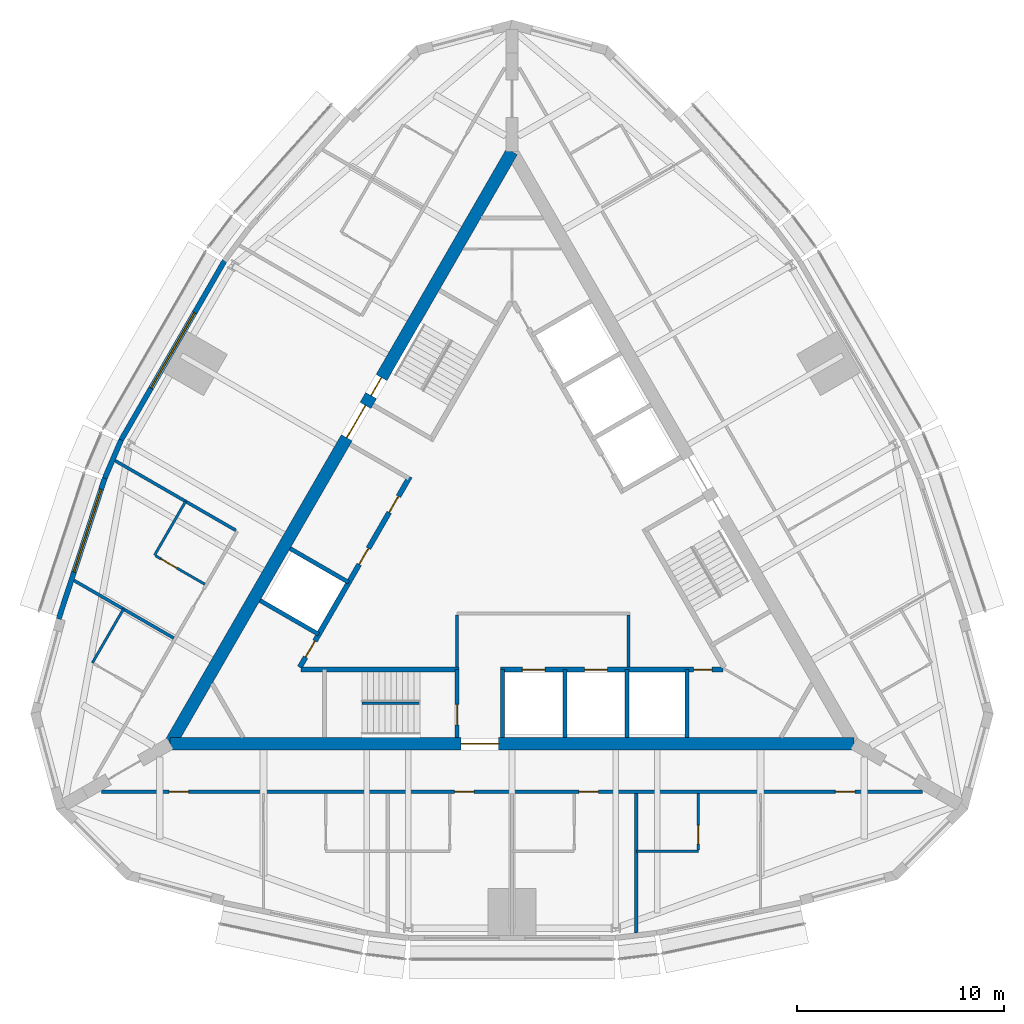
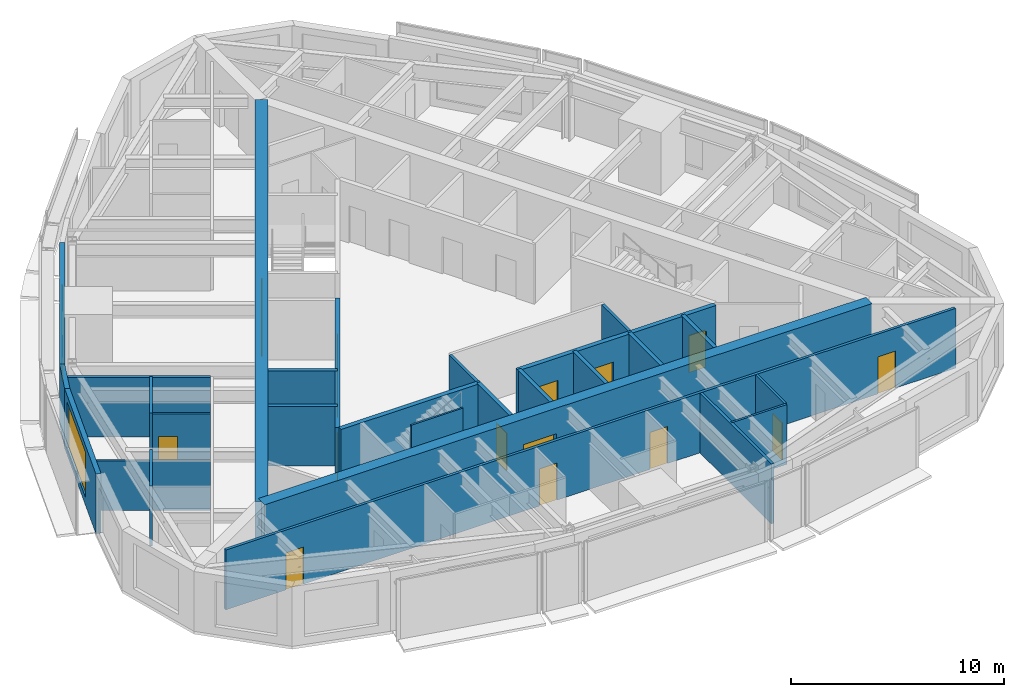
# One storey, part 8 of 12: 27 walls, 16 doors, 2 windows, 18 openings.
"""IFC4 building model written with IfcOpenShell, lengths in metres."""

from ifc_helpers import new_model, si_unit, direction, frame, frame_2d, origin, place, context, subcontext, project, spatial, rectangle, extrude, material, layer, layer_set, type_object, element, fill, save


model = new_model("IFC4")

# Units and contexts
model_context = context("Model", 3, precision=1e-05, world=origin(), true_north=direction((0.0, 1.0)))
body_context = subcontext(model_context, "Body", "Model", "MODEL_VIEW")
ifc_project = project(units=[si_unit("LENGTHUNIT", "METRE"), si_unit("AREAUNIT", "SQUARE_METRE"), si_unit("VOLUMEUNIT", "CUBIC_METRE"), si_unit("PLANEANGLEUNIT", "RADIAN"), si_unit("MASSUNIT", "GRAM", prefix="KILO")], contexts=[model_context])

# Site, building, storey
site_placement = place(None, origin())
site = spatial("IfcSite", under=ifc_project, at=site_placement, CompositionType="ELEMENT")
building_placement = place(site_placement, origin())
building = spatial("IfcBuilding", under=site, at=building_placement, Name="Trikona Tower", CompositionType="ELEMENT")
storey_placement = place(building_placement, frame((0.0, 0.0, 264.5)))
storey = spatial("IfcBuildingStorey", under=building, at=storey_placement, Name="L70", CompositionType="ELEMENT", Elevation=264.5)

# Wall
ifc_material_1 = material(Name="Metal stud and cement board", Category="gypsum")
ifc_layer_1 = layer(ifc_material_1, 0.1201171875)
ifc_layer_set_1 = layer_set([ifc_layer_1], Name="Bathroom wall 120")
wall_type_1 = type_object("IfcWallType", Name="Bathroom wall 120", PredefinedType="PLUMBINGWALL", material=ifc_layer_set_1)
wall_1_placement = place(storey_placement, frame((6.0, -14.726318359375, 0.0), z_axis=(0.0, 0.0, 1.0), x_axis=(1.0, 0.0, 0.0)))
element("IfcWall", 1, at=wall_1_placement, inside=storey, type_object=wall_type_1, Name="Bathroom wall 7004.1", PredefinedType="PLUMBINGWALL", context=body_context, shape_type="SweptSolid", body=[
    extrude(rectangle(XDim=3.0, YDim=0.1201171875, at=frame_2d((1.5, 0.0))), origin(), (0.0, 0.0, 1.0), 3.43505859375),
])

# Wall, opening, door
wall_2_placement = place(storey_placement, frame((9.0, -11.92626953125, 0.0), z_axis=(0.0, 0.0, 1.0), x_axis=(0.0, -1.0, 0.0)))
wall_2 = element("IfcWall", 2, at=wall_2_placement, inside=storey, type_object=wall_type_1, Name="Bathroom wall 7004.1", PredefinedType="PLUMBINGWALL", context=body_context, shape_type="SweptSolid", body=[
    extrude(rectangle(XDim=2.739990234375, YDim=0.1201171875, at=frame_2d((1.3701171875, 0.0))), origin(), (0.0, 0.0, 1.0), 3.43505859375),
])
opening_1_placement = place(wall_2_placement, frame((1.550048828125, 0.0, 0.0)))
opening_1 = element("IfcOpeningElement", 3, at=opening_1_placement, cuts=wall_2, Name="Opening D2", PredefinedType="OPENING", context=body_context, shape_type="SweptSolid", body=[
    extrude(rectangle(XDim=0.89990234375, YDim=2.1298828125, at=frame_2d((0.449951171875, 1.06494140625))), frame((0.0, 0.070068359375, 0.0), z_axis=(0.0, -1.0, 0.0), x_axis=(1.0, 0.0, 0.0)), (0.0, 0.0, 1.0), 0.14013671875),
])
ifc_material_2 = material(Name="Steel door frame with solid-core timber leaf", Category="steel")
door_type_1 = type_object("IfcDoorType", Name="Bathroom door 900x2130", OperationType="SLIDING_TO_LEFT", PredefinedType="DOOR", material=ifc_material_2)
door_1_placement = place(opening_1_placement, origin())
door_1 = element("IfcDoor", 4, at=door_1_placement, inside=storey, type_object=door_type_1, Name="Bathroom door 7004.1", OperationType="SLIDING_TO_LEFT", OverallHeight=2.1298828125, OverallWidth=0.89990234375, PredefinedType="DOOR", context=body_context, shape_type="SweptSolid", body=[
    extrude(rectangle(XDim=0.89990234375, YDim=2.1298828125, at=frame_2d((0.449951171875, 1.06494140625))), frame((0.0, 0.02490234375, 0.0), z_axis=(0.0, -1.0, 0.0), x_axis=(1.0, 0.0, 0.0)), (0.0, 0.0, 1.0), 0.050048828125),
])
fill(opening_1, door_1)

# Wall
wall_3_placement = place(storey_placement, frame((-15.75341796875, 2.1669921875, 0.0), z_axis=(0.0, 0.0, 1.0), x_axis=(-0.499990139034, -0.866031096941, 0.0)))
element("IfcWall", 5, at=wall_3_placement, inside=storey, type_object=wall_type_1, Name="Bathroom wall 7008", PredefinedType="PLUMBINGWALL", context=body_context, shape_type="SweptSolid", body=[
    extrude(rectangle(XDim=3.0, YDim=0.1201171875, at=frame_2d((1.5, 0.0))), origin(), (0.0, 0.0, 1.0), 3.43505859375),
])

# Wall, opening, door
wall_4_placement = place(storey_placement, frame((-14.82861328125, -1.8310546875, 0.0), z_axis=(0.0, 0.0, 1.0), x_axis=(-0.866035715982, 0.499982138324, 0.0)))
wall_4 = element("IfcWall", 6, at=wall_4_placement, inside=storey, type_object=wall_type_1, Name="Bathroom wall 7008", PredefinedType="PLUMBINGWALL", context=body_context, shape_type="SweptSolid", body=[
    extrude(rectangle(XDim=2.73974609375, YDim=0.1201171875, at=frame_2d((1.369873046875, 0.0))), origin(), (0.0, 0.0, 1.0), 3.43505859375),
])
opening_2_placement = place(wall_4_placement, frame((1.550048828125, 0.0, 0.0)))
opening_2 = element("IfcOpeningElement", 7, at=opening_2_placement, cuts=wall_4, Name="Opening D2", PredefinedType="OPENING", context=body_context, shape_type="SweptSolid", body=[
    extrude(rectangle(XDim=0.89990234375, YDim=2.1298828125, at=frame_2d((0.449951171875, 1.06494140625))), frame((0.0, 0.070068359375, 0.0), z_axis=(0.0, -1.0, 0.0), x_axis=(1.0, 0.0, 0.0)), (0.0, 0.0, 1.0), 0.14013671875),
])
door_2_placement = place(opening_2_placement, origin())
door_2 = element("IfcDoor", 8, at=door_2_placement, inside=storey, type_object=door_type_1, Name="Bathroom door 7008", OperationType="SLIDING_TO_LEFT", OverallHeight=2.1298828125, OverallWidth=0.89990234375, PredefinedType="DOOR", context=body_context, shape_type="SweptSolid", body=[
    extrude(rectangle(XDim=0.89990234375, YDim=2.1298828125, at=frame_2d((0.449951171875, 1.06494140625))), frame((0.0, 0.02490234375, 0.0), z_axis=(0.0, -1.0, 0.0), x_axis=(1.0, 0.0, 0.0)), (0.0, 0.0, 1.0), 0.050048828125),
])
fill(opening_2, door_2)

# Wall
wall_5_placement = place(storey_placement, frame((-18.75341796875, -3.029296875, 0.0), z_axis=(0.0, 0.0, 1.0), x_axis=(-0.50002537861, -0.866010750942, 0.0)))
element("IfcWall", 9, at=wall_5_placement, inside=storey, type_object=wall_type_1, Name="Bathroom wall 7009", PredefinedType="PLUMBINGWALL", context=body_context, shape_type="SweptSolid", body=[
    extrude(rectangle(XDim=2.999755859375, YDim=0.1201171875, at=frame_2d((1.5, 0.0))), origin(), (0.0, 0.0, 1.0), 3.43505859375),
])

# Wall, opening, door
ifc_material_3 = material(Name="Concrete f'c 10000 psi", Category="concrete")
ifc_layer_2 = layer(ifc_material_3, 0.60009765625)
ifc_layer_set_2 = layer_set([ifc_layer_2], Name="Core wall 600")
wall_type_2 = type_object("IfcWallType", Name="Core wall 600", PredefinedType="SHEAR", material=ifc_layer_set_2)
wall_6_placement = place(storey_placement, frame((-16.5, -9.5263671875, 0.0), z_axis=(0.0, 0.0, 1.0), x_axis=(1.0, 0.0, 0.0)))
wall_6 = element("IfcWall", 10, at=wall_6_placement, inside=storey, type_object=wall_type_2, Name="Core wall A", PredefinedType="SHEAR", context=body_context, shape_type="SweptSolid", body=[
    extrude(rectangle(XDim=33.0, YDim=0.60009765625, at=frame_2d((16.5, 0.0))), origin(), (0.0, 0.0, 1.0), 3.60009765625),
])
opening_3_placement = place(wall_6_placement, frame((14.050048828125, 0.0, 0.0)))
opening_3 = element("IfcOpeningElement", 11, at=opening_3_placement, cuts=wall_6, Name="Opening D6", PredefinedType="OPENING", context=body_context, shape_type="SweptSolid", body=[
    extrude(rectangle(XDim=1.800048828125, YDim=2.1298828125, at=frame_2d((0.89990234375, 1.06494140625))), frame((0.0, 0.31005859375, 0.0), z_axis=(0.0, -1.0, 0.0), x_axis=(1.0, 0.0, 0.0)), (0.0, 0.0, 1.0), 0.6201171875),
])
ifc_material_4 = material(Name="Hollow metal door and frame", Category="steel")
door_type_2 = type_object("IfcDoorType", Name="Lobby door pair 1800x2130", OperationType="DOUBLE_DOOR_SINGLE_SWING", PredefinedType="DOOR", material=ifc_material_4)
door_3_placement = place(opening_3_placement, origin())
door_3 = element("IfcDoor", 12, at=door_3_placement, inside=storey, type_object=door_type_2, Name="Fire service lift lobby door", OperationType="DOUBLE_DOOR_SINGLE_SWING", OverallHeight=2.1298828125, OverallWidth=1.800048828125, PredefinedType="DOOR", context=body_context, shape_type="SweptSolid", body=[
    extrude(rectangle(XDim=1.800048828125, YDim=2.1298828125, at=frame_2d((0.89990234375, 1.06494140625))), frame((0.0, 0.02490234375, 0.0), z_axis=(0.0, -1.0, 0.0), x_axis=(1.0, 0.0, 0.0)), (0.0, 0.0, 1.0), 0.050048828125),
])
fill(opening_3, door_3)

# Wall, openings, doors
wall_7_placement = place(storey_placement, frame((0.0, 19.052490234375, 0.0), z_axis=(0.0, 0.0, 1.0), x_axis=(-0.499999749417, -0.866025548458, 0.0)))
wall_7 = element("IfcWall", 13, at=wall_7_placement, inside=storey, type_object=wall_type_2, Name="Core wall C", PredefinedType="SHEAR", context=body_context, shape_type="SweptSolid", body=[
    extrude(rectangle(XDim=33.0, YDim=0.60009765625, at=frame_2d((16.5, 0.0))), origin(), (0.0, 0.0, 1.0), 3.60009765625),
])
opening_4_placement = place(wall_7_placement, frame((14.14990234375, 0.0, 0.0)))
opening_4 = element("IfcOpeningElement", 14, at=opening_4_placement, cuts=wall_7, Name="Opening D6", PredefinedType="OPENING", context=body_context, shape_type="SweptSolid", body=[
    extrude(rectangle(XDim=1.800048828125, YDim=2.1298828125, at=frame_2d((0.89990234375, 1.06494140625))), frame((0.0, 0.31005859375, 0.0), z_axis=(0.0, -1.0, 0.0), x_axis=(1.0, 0.0, 0.0)), (0.0, 0.0, 1.0), 0.6201171875),
])
opening_5_placement = place(wall_7_placement, frame((12.60009765625, 0.0, 0.0)))
opening_5 = element("IfcOpeningElement", 15, at=opening_5_placement, cuts=wall_7, Name="Opening D5", PredefinedType="OPENING", context=body_context, shape_type="SweptSolid", body=[
    extrude(rectangle(XDim=1.0, YDim=2.1298828125, at=frame_2d((0.5, 1.06494140625))), frame((0.0, 0.31005859375, 0.0), z_axis=(0.0, -1.0, 0.0), x_axis=(1.0, 0.0, 0.0)), (0.0, 0.0, 1.0), 0.6201171875),
])
door_4_placement = place(opening_4_placement, origin())
door_4 = element("IfcDoor", 16, at=door_4_placement, inside=storey, type_object=door_type_2, Name="Lift lobby door C", OperationType="DOUBLE_DOOR_SINGLE_SWING", OverallHeight=2.1298828125, OverallWidth=1.800048828125, PredefinedType="DOOR", context=body_context, shape_type="SweptSolid", body=[
    extrude(rectangle(XDim=1.800048828125, YDim=2.1298828125, at=frame_2d((0.89990234375, 1.06494140625))), frame((0.0, 0.02490234375, 0.0), z_axis=(0.0, -1.0, 0.0), x_axis=(1.0, 0.0, 0.0)), (0.0, 0.0, 1.0), 0.050048828125),
])
fill(opening_4, door_4)
ifc_material_5 = material(Name="Hollow metal door and frame", Category="steel")
door_type_3 = type_object("IfcDoorType", Name="Stair door 1000x2130", OperationType="SINGLE_SWING_LEFT", PredefinedType="DOOR", material=ifc_material_5)
door_5_placement = place(opening_5_placement, origin())
door_5 = element("IfcDoor", 17, at=door_5_placement, inside=storey, type_object=door_type_3, Name="Stair C door", OperationType="SINGLE_SWING_RIGHT", OverallHeight=2.1298828125, OverallWidth=1.0, PredefinedType="DOOR", context=body_context, shape_type="SweptSolid", body=[
    extrude(rectangle(XDim=1.0, YDim=2.1298828125, at=frame_2d((0.5, 1.06494140625))), frame((0.0, 0.02490234375, 0.0), z_axis=(0.0, -1.0, 0.0), x_axis=(1.0, 0.0, 0.0)), (0.0, 0.0, 1.0), 0.050048828125),
])
fill(opening_5, door_5)

ifc_material_6 = material(Name="Metal stud and gypsum board, 1-hour", Category="gypsum")
ifc_layer_3 = layer(ifc_material_6, 0.14990234375)
ifc_layer_set_3 = layer_set([ifc_layer_3], Name="Corridor wall 150")
wall_type_3 = type_object("IfcWallType", Name="Corridor wall 150", PredefinedType="PARTITIONING", material=ifc_layer_set_3)
wall_8_placement = place(storey_placement, frame((-19.826904296875, -11.851318359375, 0.0), z_axis=(0.0, 0.0, 1.0), x_axis=(1.0, 0.0, 0.0)))
wall_8 = element("IfcWall", 18, at=wall_8_placement, inside=storey, type_object=wall_type_3, Name="Corridor wall L70-1", PredefinedType="PARTITIONING", context=body_context, shape_type="SweptSolid", body=[
    extrude(rectangle(XDim=39.65380859375, YDim=0.14990234375, at=frame_2d((19.826904296875, 0.0))), origin(), (0.0, 0.0, 1.0), 3.43505859375),
])
opening_6_placement = place(wall_8_placement, frame((3.271728515625, 0.0, 0.0)))
opening_6 = element("IfcOpeningElement", 19, at=opening_6_placement, cuts=wall_8, Name="Opening D1", PredefinedType="OPENING", context=body_context, shape_type="SweptSolid", body=[
    extrude(rectangle(XDim=0.949951171875, YDim=2.1298828125, at=frame_2d((0.47509765625, 1.06494140625))), frame((0.0, 0.0849609375, 0.0), z_axis=(0.0, -1.0, 0.0), x_axis=(1.0, 0.0, 0.0)), (0.0, 0.0, 1.0), 0.169921875),
])
opening_7_placement = place(wall_8_placement, frame((17.052001953125, 0.0, 0.0)))
opening_7 = element("IfcOpeningElement", 20, at=opening_7_placement, cuts=wall_8, Name="Opening D1", PredefinedType="OPENING", context=body_context, shape_type="SweptSolid", body=[
    extrude(rectangle(XDim=0.949951171875, YDim=2.1298828125, at=frame_2d((0.47509765625, 1.06494140625))), frame((0.0, 0.0849609375, 0.0), z_axis=(0.0, -1.0, 0.0), x_axis=(1.0, 0.0, 0.0)), (0.0, 0.0, 1.0), 0.169921875),
])
opening_8_placement = place(wall_8_placement, frame((23.052001953125, 0.0, 0.0)))
opening_8 = element("IfcOpeningElement", 21, at=opening_8_placement, cuts=wall_8, Name="Opening D1", PredefinedType="OPENING", context=body_context, shape_type="SweptSolid", body=[
    extrude(rectangle(XDim=0.949951171875, YDim=2.1298828125, at=frame_2d((0.47509765625, 1.06494140625))), frame((0.0, 0.0849609375, 0.0), z_axis=(0.0, -1.0, 0.0), x_axis=(1.0, 0.0, 0.0)), (0.0, 0.0, 1.0), 0.169921875),
])
opening_9_placement = place(wall_8_placement, frame((35.432373046875, 0.0, 0.0)))
opening_9 = element("IfcOpeningElement", 22, at=opening_9_placement, cuts=wall_8, Name="Opening D1", PredefinedType="OPENING", context=body_context, shape_type="SweptSolid", body=[
    extrude(rectangle(XDim=0.949951171875, YDim=2.1298828125, at=frame_2d((0.47509765625, 1.06494140625))), frame((0.0, 0.0849609375, 0.0), z_axis=(0.0, -1.0, 0.0), x_axis=(1.0, 0.0, 0.0)), (0.0, 0.0, 1.0), 0.169921875),
])
ifc_material_7 = material(Name="Steel door frame with solid-core timber leaf", Category="steel")
door_type_4 = type_object("IfcDoorType", Name="Guest room door 950x2130", OperationType="SINGLE_SWING_LEFT", PredefinedType="DOOR", material=ifc_material_7)
door_6_placement = place(opening_6_placement, origin())
door_6 = element("IfcDoor", 23, at=door_6_placement, inside=storey, type_object=door_type_4, Name="Room door 7001", OperationType="SINGLE_SWING_LEFT", OverallHeight=2.1298828125, OverallWidth=0.949951171875, PredefinedType="DOOR", context=body_context, shape_type="SweptSolid", body=[
    extrude(rectangle(XDim=0.949951171875, YDim=2.1298828125, at=frame_2d((0.47509765625, 1.06494140625))), frame((0.0, 0.02490234375, 0.0), z_axis=(0.0, -1.0, 0.0), x_axis=(1.0, 0.0, 0.0)), (0.0, 0.0, 1.0), 0.050048828125),
])
fill(opening_6, door_6)
door_7_placement = place(opening_7_placement, origin())
door_7 = element("IfcDoor", 24, at=door_7_placement, inside=storey, type_object=door_type_4, Name="Room door 7002", OperationType="SINGLE_SWING_RIGHT", OverallHeight=2.1298828125, OverallWidth=0.949951171875, PredefinedType="DOOR", context=body_context, shape_type="SweptSolid", body=[
    extrude(rectangle(XDim=0.949951171875, YDim=2.1298828125, at=frame_2d((0.47509765625, 1.06494140625))), frame((0.0, 0.02490234375, 0.0), z_axis=(0.0, -1.0, 0.0), x_axis=(1.0, 0.0, 0.0)), (0.0, 0.0, 1.0), 0.050048828125),
])
fill(opening_7, door_7)
door_8_placement = place(opening_8_placement, origin())
door_8 = element("IfcDoor", 25, at=door_8_placement, inside=storey, type_object=door_type_4, Name="Room door 7003", OperationType="SINGLE_SWING_LEFT", OverallHeight=2.1298828125, OverallWidth=0.949951171875, PredefinedType="DOOR", context=body_context, shape_type="SweptSolid", body=[
    extrude(rectangle(XDim=0.949951171875, YDim=2.1298828125, at=frame_2d((0.47509765625, 1.06494140625))), frame((0.0, 0.02490234375, 0.0), z_axis=(0.0, -1.0, 0.0), x_axis=(1.0, 0.0, 0.0)), (0.0, 0.0, 1.0), 0.050048828125),
])
fill(opening_8, door_8)
door_9_placement = place(opening_9_placement, origin())
door_9 = element("IfcDoor", 26, at=door_9_placement, inside=storey, type_object=door_type_4, Name="Room door 7004", OperationType="SINGLE_SWING_RIGHT", OverallHeight=2.1298828125, OverallWidth=0.949951171875, PredefinedType="DOOR", context=body_context, shape_type="SweptSolid", body=[
    extrude(rectangle(XDim=0.949951171875, YDim=2.1298828125, at=frame_2d((0.47509765625, 1.06494140625))), frame((0.0, 0.02490234375, 0.0), z_axis=(0.0, -1.0, 0.0), x_axis=(1.0, 0.0, 0.0)), (0.0, 0.0, 1.0), 0.050048828125),
])
fill(opening_9, door_9)

# Wall
ifc_material_8 = material(Name="Concrete f'c 8000 psi", Category="concrete")
ifc_layer_4 = layer(ifc_material_8, 0.25)
ifc_layer_set_4 = layer_set([ifc_layer_4], Name="Hub wall 250")
wall_type_4 = type_object("IfcWallType", Name="Hub wall 250", PredefinedType="SOLIDWALL", material=ifc_layer_set_4)
wall_9_placement = place(storey_placement, frame((-10.182861328125, -5.951416015625, 0.0), z_axis=(0.0, 0.0, 1.0), x_axis=(1.0, 0.0, 0.0)))
element("IfcWall", 27, at=wall_9_placement, inside=storey, type_object=wall_type_4, Name="Lift lobby wall A1", PredefinedType="SOLIDWALL", context=body_context, shape_type="SweptSolid", body=[
    extrude(rectangle(XDim=7.6328125, YDim=0.25, at=frame_2d((3.81640625, 0.0))), origin(), (0.0, 0.0, 1.0), 3.43505859375),
])

# Wall, openings, doors
wall_10_placement = place(storey_placement, frame((-0.550048828125, -5.951416015625, 0.0), z_axis=(0.0, 0.0, 1.0), x_axis=(1.0, 0.0, 0.0)))
wall_10 = element("IfcWall", 28, at=wall_10_placement, inside=storey, type_object=wall_type_4, Name="Lift lobby wall A2", PredefinedType="SOLIDWALL", context=body_context, shape_type="SweptSolid", body=[
    extrude(rectangle(XDim=10.73291015625, YDim=0.25, at=frame_2d((5.366455078125, 0.0))), origin(), (0.0, 0.0, 1.0), 3.43505859375),
])
opening_10_placement = place(wall_10_placement, frame((9.31396484375, 0.0, 0.0)))
opening_10 = element("IfcOpeningElement", 29, at=opening_10_placement, cuts=wall_10, Name="Opening D14", PredefinedType="OPENING", context=body_context, shape_type="SweptSolid", body=[
    extrude(rectangle(XDim=0.89990234375, YDim=2.1298828125, at=frame_2d((0.449951171875, 1.06494140625))), frame((0.0, 0.135009765625, 0.0), z_axis=(0.0, -1.0, 0.0), x_axis=(1.0, 0.0, 0.0)), (0.0, 0.0, 1.0), 0.27001953125),
])
opening_11_placement = place(wall_10_placement, frame((1.050048828125, 0.0, 0.0)))
opening_11 = element("IfcOpeningElement", 30, at=opening_11_placement, cuts=wall_10, Name="Opening LD", PredefinedType="OPENING", context=body_context, shape_type="SweptSolid", body=[
    extrude(rectangle(XDim=1.10009765625, YDim=2.1298828125, at=frame_2d((0.550048828125, 1.06494140625))), frame((0.0, 0.135009765625, 0.0), z_axis=(0.0, -1.0, 0.0), x_axis=(1.0, 0.0, 0.0)), (0.0, 0.0, 1.0), 0.27001953125),
])
opening_12_placement = place(wall_10_placement, frame((4.050048828125, 0.0, 0.0)))
opening_12 = element("IfcOpeningElement", 31, at=opening_12_placement, cuts=wall_10, Name="Opening LD", PredefinedType="OPENING", context=body_context, shape_type="SweptSolid", body=[
    extrude(rectangle(XDim=1.10009765625, YDim=2.1298828125, at=frame_2d((0.550048828125, 1.06494140625))), frame((0.0, 0.135009765625, 0.0), z_axis=(0.0, -1.0, 0.0), x_axis=(1.0, 0.0, 0.0)), (0.0, 0.0, 1.0), 0.27001953125),
])
ifc_material_9 = material(Name="Stainless steel lift landing door", Category="steel")
door_type_5 = type_object("IfcDoorType", Name="Lift landing door 1100x2130", OperationType="DOUBLE_DOOR_SLIDING", PredefinedType="USERDEFINED", material=ifc_material_9)
door_10_placement = place(opening_11_placement, origin())
door_10 = element("IfcDoor", 32, at=door_10_placement, inside=storey, type_object=door_type_5, Name="Lift landing door FF1", ObjectType="LIFT LANDING DOOR", OperationType="DOUBLE_DOOR_SLIDING", OverallHeight=2.1298828125, OverallWidth=1.10009765625, PredefinedType="USERDEFINED", context=body_context, shape_type="SweptSolid", body=[
    extrude(rectangle(XDim=1.10009765625, YDim=2.1298828125, at=frame_2d((0.550048828125, 1.06494140625))), frame((0.0, 0.02490234375, 0.0), z_axis=(0.0, -1.0, 0.0), x_axis=(1.0, 0.0, 0.0)), (0.0, 0.0, 1.0), 0.050048828125),
])
fill(opening_11, door_10)
door_11_placement = place(opening_12_placement, origin())
door_11 = element("IfcDoor", 33, at=door_11_placement, inside=storey, type_object=door_type_5, Name="Lift landing door FF2", ObjectType="LIFT LANDING DOOR", OperationType="DOUBLE_DOOR_SLIDING", OverallHeight=2.1298828125, OverallWidth=1.10009765625, PredefinedType="USERDEFINED", context=body_context, shape_type="SweptSolid", body=[
    extrude(rectangle(XDim=1.10009765625, YDim=2.1298828125, at=frame_2d((0.550048828125, 1.06494140625))), frame((0.0, 0.02490234375, 0.0), z_axis=(0.0, -1.0, 0.0), x_axis=(1.0, 0.0, 0.0)), (0.0, 0.0, 1.0), 0.050048828125),
])
fill(opening_12, door_11)
ifc_material_10 = material(Name="Hollow metal door and frame", Category="steel")
door_type_6 = type_object("IfcDoorType", Name="Service room door 900x2130", OperationType="SINGLE_SWING_LEFT", PredefinedType="DOOR", material=ifc_material_10)
door_12_placement = place(opening_10_placement, origin())
door_12 = element("IfcDoor", 34, at=door_12_placement, inside=storey, type_object=door_type_6, Name="Door Linen store LIN", OperationType="SINGLE_SWING_RIGHT", OverallHeight=2.1298828125, OverallWidth=0.89990234375, PredefinedType="DOOR", context=body_context, shape_type="SweptSolid", body=[
    extrude(rectangle(XDim=0.89990234375, YDim=2.1298828125, at=frame_2d((0.449951171875, 1.06494140625))), frame((0.0, 0.02490234375, 0.0), z_axis=(0.0, -1.0, 0.0), x_axis=(1.0, 0.0, 0.0)), (0.0, 0.0, 1.0), 0.050048828125),
])
fill(opening_10, door_12)

wall_11_placement = place(storey_placement, frame((-4.928955078125, 3.365478515625, 0.0), z_axis=(0.0, 0.0, 1.0), x_axis=(-0.499991433582, -0.866030349552, 0.0)))
wall_11 = element("IfcWall", 35, at=wall_11_placement, inside=storey, type_object=wall_type_4, Name="Lift lobby wall C2", PredefinedType="SOLIDWALL", context=body_context, shape_type="SweptSolid", body=[
    extrude(rectangle(XDim=10.633056640625, YDim=0.25, at=frame_2d((5.31640625, 0.0))), origin(), (0.0, 0.0, 1.0), 3.43505859375),
])
opening_13_placement = place(wall_11_placement, frame((9.1640625, 0.0, 0.0)))
opening_13 = element("IfcOpeningElement", 36, at=opening_13_placement, cuts=wall_11, Name="Opening D14", PredefinedType="OPENING", context=body_context, shape_type="SweptSolid", body=[
    extrude(rectangle(XDim=0.89990234375, YDim=2.1298828125, at=frame_2d((0.449951171875, 1.06494140625))), frame((0.0, 0.135009765625, 0.0), z_axis=(0.0, -1.0, 0.0), x_axis=(1.0, 0.0, 0.0)), (0.0, 0.0, 1.0), 0.27001953125),
])
opening_14_placement = place(wall_11_placement, frame((1.10009765625, 0.0, 0.0)))
opening_14 = element("IfcOpeningElement", 37, at=opening_14_placement, cuts=wall_11, Name="Opening D14", PredefinedType="OPENING", context=body_context, shape_type="SweptSolid", body=[
    extrude(rectangle(XDim=0.89990234375, YDim=2.1298828125, at=frame_2d((0.449951171875, 1.06494140625))), frame((0.0, 0.135009765625, 0.0), z_axis=(0.0, -1.0, 0.0), x_axis=(1.0, 0.0, 0.0)), (0.0, 0.0, 1.0), 0.27001953125),
])
opening_15_placement = place(wall_11_placement, frame((4.0, 0.0, 0.0)))
opening_15 = element("IfcOpeningElement", 38, at=opening_15_placement, cuts=wall_11, Name="Opening D14", PredefinedType="OPENING", context=body_context, shape_type="SweptSolid", body=[
    extrude(rectangle(XDim=0.89990234375, YDim=2.1298828125, at=frame_2d((0.449951171875, 1.06494140625))), frame((0.0, 0.135009765625, 0.0), z_axis=(0.0, -1.0, 0.0), x_axis=(1.0, 0.0, 0.0)), (0.0, 0.0, 1.0), 0.27001953125),
])
door_13_placement = place(opening_13_placement, origin())
door_13 = element("IfcDoor", 39, at=door_13_placement, inside=storey, type_object=door_type_6, Name="Door Housekeeping store HKS", OperationType="SINGLE_SWING_RIGHT", OverallHeight=2.1298828125, OverallWidth=0.89990234375, PredefinedType="DOOR", context=body_context, shape_type="SweptSolid", body=[
    extrude(rectangle(XDim=0.89990234375, YDim=2.1298828125, at=frame_2d((0.449951171875, 1.06494140625))), frame((0.0, 0.02490234375, 0.0), z_axis=(0.0, -1.0, 0.0), x_axis=(1.0, 0.0, 0.0)), (0.0, 0.0, 1.0), 0.050048828125),
])
fill(opening_13, door_13)
door_14_placement = place(opening_14_placement, origin())
door_14 = element("IfcDoor", 40, at=door_14_placement, inside=storey, type_object=door_type_6, Name="Door Guest pantry PAN1", OperationType="SINGLE_SWING_LEFT", OverallHeight=2.1298828125, OverallWidth=0.89990234375, PredefinedType="DOOR", context=body_context, shape_type="SweptSolid", body=[
    extrude(rectangle(XDim=0.89990234375, YDim=2.1298828125, at=frame_2d((0.449951171875, 1.06494140625))), frame((0.0, 0.02490234375, 0.0), z_axis=(0.0, -1.0, 0.0), x_axis=(1.0, 0.0, 0.0)), (0.0, 0.0, 1.0), 0.050048828125),
])
fill(opening_14, door_14)
door_15_placement = place(opening_15_placement, origin())
door_15 = element("IfcDoor", 41, at=door_15_placement, inside=storey, type_object=door_type_6, Name="Door Guest pantry PAN1", OperationType="SINGLE_SWING_RIGHT", OverallHeight=2.1298828125, OverallWidth=0.89990234375, PredefinedType="DOOR", context=body_context, shape_type="SweptSolid", body=[
    extrude(rectangle(XDim=0.89990234375, YDim=2.1298828125, at=frame_2d((0.449951171875, 1.06494140625))), frame((0.0, 0.02490234375, 0.0), z_axis=(0.0, -1.0, 0.0), x_axis=(1.0, 0.0, 0.0)), (0.0, 0.0, 1.0), 0.050048828125),
])
fill(opening_15, door_15)

# Wall, opening, window
ifc_material_11 = material(Name="Insulated precast concrete spandrel panel", Category="concrete")
ifc_layer_5 = layer(ifc_material_11, 0.25)
ifc_layer_set_5 = layer_set([ifc_layer_5], Name="Inner skin wall 250")
wall_type_5 = type_object("IfcWallType", Name="Inner skin wall 250", PredefinedType="STANDARD", material=ifc_layer_set_5)
wall_12_placement = place(storey_placement, frame((-13.87255859375, 13.782958984375, 0.0), z_axis=(0.0, 0.0, 1.0), x_axis=(-0.499993662806, -0.866029062534, 0.0)))
wall_12 = element("IfcWall", 42, at=wall_12_placement, inside=storey, type_object=wall_type_5, Name="External wall L70-20", PredefinedType="STANDARD", context=body_context, shape_type="SweptSolid", body=[
    extrude(rectangle(XDim=10.000244140625, YDim=0.25, at=frame_2d((5.0, 0.0))), origin(), (0.0, 0.0, 1.0), 3.43505859375),
])
opening_16_placement = place(wall_12_placement, frame((2.89990234375, 0.0, 0.449951171875)))
opening_16 = element("IfcOpeningElement", 43, at=opening_16_placement, cuts=wall_12, Name="Opening W4226", PredefinedType="OPENING", context=body_context, shape_type="SweptSolid", body=[
    extrude(rectangle(XDim=4.199951171875, YDim=2.60009765625, at=frame_2d((2.10009765625, 1.300048828125))), frame((0.0, 0.135009765625, 0.0), z_axis=(0.0, -1.0, 0.0), x_axis=(1.0, 0.0, 0.0)), (0.0, 0.0, 1.0), 0.27001953125),
])
ifc_material_12 = material(Name="Aluminium-framed double glazing", Category="aluminium")
window_type = type_object("IfcWindowType", Name="Window 4200x2600", PartitioningType="SINGLE_PANEL", PredefinedType="WINDOW", material=ifc_material_12)
window_1_placement = place(opening_16_placement, origin())
window_1 = element("IfcWindow", 44, at=window_1_placement, inside=storey, type_object=window_type, Name="Window L70-LNG", OverallHeight=2.60009765625, OverallWidth=4.199951171875, PartitioningType="SINGLE_PANEL", PredefinedType="WINDOW", context=body_context, shape_type="SweptSolid", body=[
    extrude(rectangle(XDim=4.199951171875, YDim=2.60009765625, at=frame_2d((2.10009765625, 1.300048828125))), frame((0.0, 0.030029296875, 0.0), z_axis=(0.0, -1.0, 0.0), x_axis=(1.0, 0.0, 0.0)), (0.0, 0.0, 1.0), 0.06005859375),
])
fill(opening_16, window_1)

# Wall
wall_13_placement = place(storey_placement, frame((-18.865966796875, 5.135986328125, 0.0), z_axis=(0.0, 0.0, 1.0), x_axis=(-0.393290226175, -0.91941437774, 0.0)))
element("IfcWall", 45, at=wall_13_placement, inside=storey, type_object=wall_type_5, Name="External wall L70-21", PredefinedType="STANDARD", context=body_context, shape_type="SweptSolid", body=[
    extrude(rectangle(XDim=2.014404296875, YDim=0.25, at=frame_2d((1.00732421875, 0.0))), origin(), (0.0, 0.0, 1.0), 3.43505859375),
])

# Wall, opening, window
wall_14_placement = place(storey_placement, frame((-19.654296875, 3.294189453125, 0.0), z_axis=(0.0, 0.0, 1.0), x_axis=(-0.311328857048, -0.95030223759, 0.0)))
wall_14 = element("IfcWall", 46, at=wall_14_placement, inside=storey, type_object=wall_type_5, Name="External wall L70-22", PredefinedType="STANDARD", context=body_context, shape_type="SweptSolid", body=[
    extrude(rectangle(XDim=7.152587890625, YDim=0.25, at=frame_2d((3.576171875, 0.0))), origin(), (0.0, 0.0, 1.0), 3.43505859375),
])
opening_17_placement = place(wall_14_placement, frame((0.576904296875, 0.0, 0.449951171875)))
opening_17 = element("IfcOpeningElement", 47, at=opening_17_placement, cuts=wall_14, Name="Opening W4226", PredefinedType="OPENING", context=body_context, shape_type="SweptSolid", body=[
    extrude(rectangle(XDim=4.199951171875, YDim=2.60009765625, at=frame_2d((2.10009765625, 1.300048828125))), frame((0.0, 0.135009765625, 0.0), z_axis=(0.0, -1.0, 0.0), x_axis=(1.0, 0.0, 0.0)), (0.0, 0.0, 1.0), 0.27001953125),
])
window_2_placement = place(opening_17_placement, origin())
window_2 = element("IfcWindow", 48, at=window_2_placement, inside=storey, type_object=window_type, Name="Window 7008", OverallHeight=2.60009765625, OverallWidth=4.199951171875, PartitioningType="SINGLE_PANEL", PredefinedType="WINDOW", context=body_context, shape_type="SweptSolid", body=[
    extrude(rectangle(XDim=4.199951171875, YDim=2.60009765625, at=frame_2d((2.10009765625, 1.300048828125))), frame((0.0, 0.030029296875, 0.0), z_axis=(0.0, -1.0, 0.0), x_axis=(1.0, 0.0, 0.0)), (0.0, 0.0, 1.0), 0.06005859375),
])
fill(opening_17, window_2)

# Walls
ifc_material_13 = material(Name="Metal stud and gypsum board, 2-hour shaft wall", Category="gypsum")
ifc_layer_6 = layer(ifc_material_13, 0.14990234375)
ifc_layer_set_6 = layer_set([ifc_layer_6], Name="Lobby wall 150")
wall_type_6 = type_object("IfcWallType", Name="Lobby wall 150", PredefinedType="PARTITIONING", material=ifc_layer_set_6)
for number, where, z_axis, x_axis, name in (
    (49, (-2.64990234375, -5.826416015625, 0.0), (0.0, 0.0, 1.0), (0.0, 1.0, 0.0), "Fire service lift lobby wall 2"),
    (50, (5.625, -5.826416015625, 0.0), (0.0, 0.0, 1.0), (0.0, 1.0, 0.0), "Fire service lift lobby wall 3"),
):
    element("IfcWall", number, at=place(storey_placement, frame(where, z_axis=z_axis, x_axis=x_axis)), inside=storey, type_object=wall_type_6, Name=name, PredefinedType="PARTITIONING", context=body_context, shape_type="SweptSolid", body=[
        extrude(rectangle(XDim=2.5, YDim=0.14990234375, at=frame_2d((1.25, 0.0))), origin(), (0.0, 0.0, 1.0), 3.43505859375),
    ])
ifc_material_14 = material(Name="Metal stud and gypsum board, 1-hour acoustic", Category="gypsum")
ifc_layer_7 = layer(ifc_material_14, 0.14990234375)
ifc_layer_set_7 = layer_set([ifc_layer_7], Name="Party wall 150")
wall_type_7 = type_object("IfcWallType", Name="Party wall 150", PredefinedType="PARTITIONING", material=ifc_layer_set_7)
for number, where, z_axis, x_axis, name in (
    (51, (6.0, -11.92626953125, 0.0), (0.0, 0.0, 1.0), (0.0, -1.0, 0.0), "Partition L70 F1 u6"),
    (52, (-13.32861328125, 0.76708984375, 0.0), (0.0, 0.0, 1.0), (-0.866020720842, 0.500008111007, 0.0), "Partition L70 F3 u6"),
):
    element("IfcWall", number, at=place(storey_placement, frame(where, z_axis=z_axis, x_axis=x_axis)), inside=storey, type_object=wall_type_7, Name=name, PredefinedType="PARTITIONING", context=body_context, shape_type="SweptSolid", body=[
        extrude(rectangle(XDim=6.732421875, YDim=0.14990234375, at=frame_2d((3.3662109375, 0.0))), origin(), (0.0, 0.0, 1.0), 3.43505859375),
    ])
wall_15_placement = place(storey_placement, frame((-16.32861328125, -4.42919921875, 0.0), z_axis=(0.0, 0.0, 1.0), x_axis=(-0.866029066823, 0.499993655377, 0.0)))
element("IfcWall", 53, at=wall_15_placement, inside=storey, type_object=wall_type_7, Name="Partition L70 F3 u12", PredefinedType="PARTITIONING", context=body_context, shape_type="SweptSolid", body=[
    extrude(rectangle(XDim=5.55859375, YDim=0.14990234375, at=frame_2d((2.779296875, 0.0))), origin(), (0.0, 0.0, 1.0), 2.82275390625),
])
ifc_material_15 = material(Name="Concrete f'c 8000 psi", Category="concrete")
ifc_layer_8 = layer(ifc_material_15, 0.199951171875)
ifc_layer_set_8 = layer_set([ifc_layer_8], Name="Shaft wall 200")
wall_type_8 = type_object("IfcWallType", Name="Shaft wall 200", PredefinedType="SOLIDWALL", material=ifc_layer_set_8)
for number, where, z_axis, x_axis, name in (
    (54, (-0.449951171875, -5.951416015625, 0.0), (0.0, 0.0, 1.0), (0.0, -1.0, 0.0), "Shaft wall A3"),
    (55, (2.550048828125, -5.951416015625, 0.0), (0.0, 0.0, 1.0), (0.0, -1.0, 0.0), "Shaft wall A4"),
    (56, (5.550048828125, -5.951416015625, 0.0), (0.0, 0.0, 1.0), (0.0, -1.0, 0.0), "Shaft wall A5"),
    (57, (8.449951171875, -5.951416015625, 0.0), (0.0, 0.0, 1.0), (0.0, -1.0, 0.0), "Shaft wall A6"),
    (58, (-7.87890625, -1.744140625, 0.0), (0.0, 0.0, 1.0), (-0.866027924134, 0.499995634601, 0.0), "Shaft wall C5"),
    (59, (-9.3291015625, -4.255615234375, 0.0), (0.0, 0.0, 1.0), (-0.866027924134, 0.499995634601, 0.0), "Shaft wall C6"),
):
    element("IfcWall", number, at=place(storey_placement, frame(where, z_axis=z_axis, x_axis=x_axis)), inside=storey, type_object=wall_type_8, Name=name, PredefinedType="SOLIDWALL", context=body_context, shape_type="SweptSolid", body=[
        extrude(rectangle(XDim=3.27490234375, YDim=0.199951171875, at=frame_2d((1.637451171875, 0.0))), origin(), (0.0, 0.0, 1.0), 3.43505859375),
    ])

# Wall, opening, door
ifc_material_16 = material(Name="Concrete f'c 8000 psi", Category="concrete")
ifc_layer_9 = layer(ifc_material_16, 0.199951171875)
ifc_layer_set_9 = layer_set([ifc_layer_9], Name="Shaft wall 200 load-bearing")
wall_type_9 = type_object("IfcWallType", Name="Shaft wall 200 load-bearing", PredefinedType="SOLIDWALL", material=ifc_layer_set_9)
wall_16_placement = place(storey_placement, frame((-2.64990234375, -5.951416015625, 0.0), z_axis=(0.0, 0.0, 1.0), x_axis=(0.0, -1.0, 0.0)))
wall_16 = element("IfcWall", 60, at=wall_16_placement, inside=storey, type_object=wall_type_9, Name="Shaft wall A2", PredefinedType="SOLIDWALL", context=body_context, shape_type="SweptSolid", body=[
    extrude(rectangle(XDim=3.27490234375, YDim=0.199951171875, at=frame_2d((1.637451171875, 0.0))), origin(), (0.0, 0.0, 1.0), 3.43505859375),
])
opening_18_placement = place(wall_16_placement, frame((1.675048828125, 0.0, 0.0)))
opening_18 = element("IfcOpeningElement", 61, at=opening_18_placement, cuts=wall_16, Name="Opening D5", PredefinedType="OPENING", context=body_context, shape_type="SweptSolid", body=[
    extrude(rectangle(XDim=1.0, YDim=2.1298828125, at=frame_2d((0.5, 1.06494140625))), frame((0.0, 0.10986328125, 0.0), z_axis=(0.0, -1.0, 0.0), x_axis=(1.0, 0.0, 0.0)), (0.0, 0.0, 1.0), 0.219970703125),
])
door_16_placement = place(opening_18_placement, origin())
door_16 = element("IfcDoor", 62, at=door_16_placement, inside=storey, type_object=door_type_3, Name="Stair A door", OperationType="SINGLE_SWING_RIGHT", OverallHeight=2.1298828125, OverallWidth=1.0, PredefinedType="DOOR", context=body_context, shape_type="SweptSolid", body=[
    extrude(rectangle(XDim=1.0, YDim=2.1298828125, at=frame_2d((0.5, 1.06494140625))), frame((0.0, 0.02490234375, 0.0), z_axis=(0.0, -1.0, 0.0), x_axis=(1.0, 0.0, 0.0)), (0.0, 0.0, 1.0), 0.050048828125),
])
fill(opening_18, door_16)

# Wall
ifc_material_17 = material(Name="Concrete f'c 5000 psi", Category="concrete")
ifc_layer_10 = layer(ifc_material_17, 0.10009765625)
ifc_layer_set_10 = layer_set([ifc_layer_10], Name="Stair spine wall 100")
wall_type_10 = type_object("IfcWallType", Name="Stair spine wall 100", PredefinedType="SOLIDWALL", material=ifc_layer_set_10)
wall_17_placement = place(storey_placement, frame((-7.2470703125, -7.576416015625, 0.0), z_axis=(0.0, 0.0, 1.0), x_axis=(1.0, 0.0, 0.0)))
element("IfcWall", 63, at=wall_17_placement, inside=storey, type_object=wall_type_10, Name="Stair A spine wall L70", PredefinedType="SOLIDWALL", context=body_context, shape_type="SweptSolid", body=[
    extrude(rectangle(XDim=2.794189453125, YDim=0.10009765625, at=frame_2d((1.39697265625, 0.0))), origin(), (0.0, 0.0, 1.0), 3.60009765625),
])

save(model, "model.ifc")
